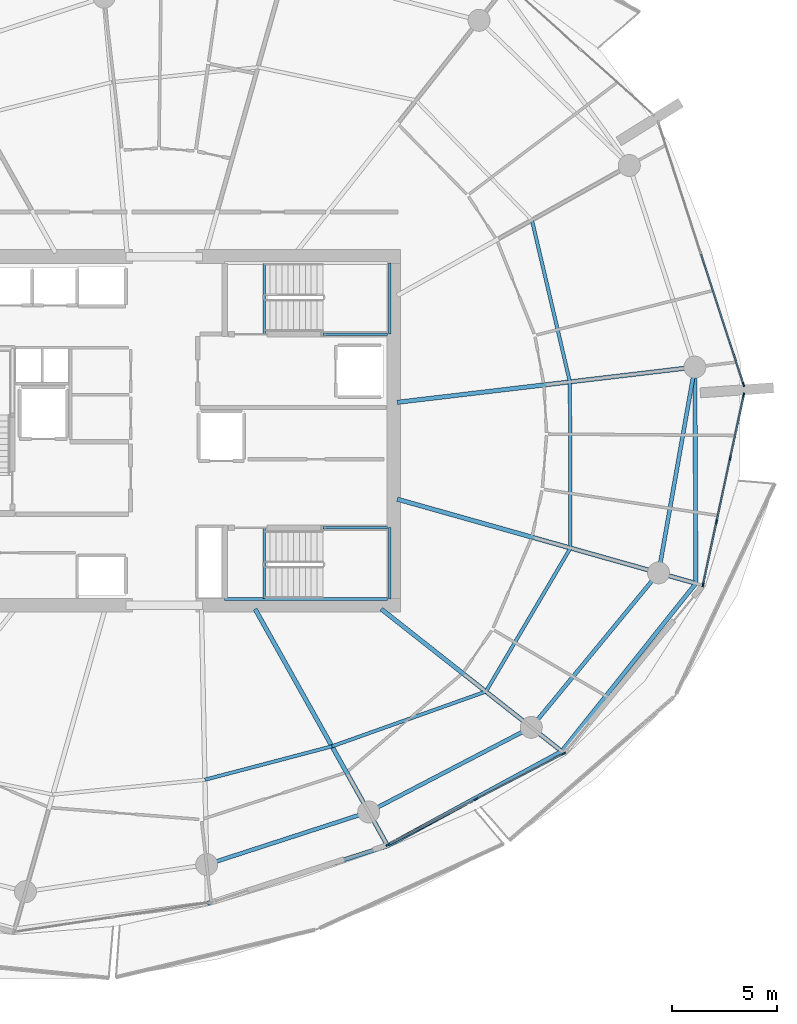
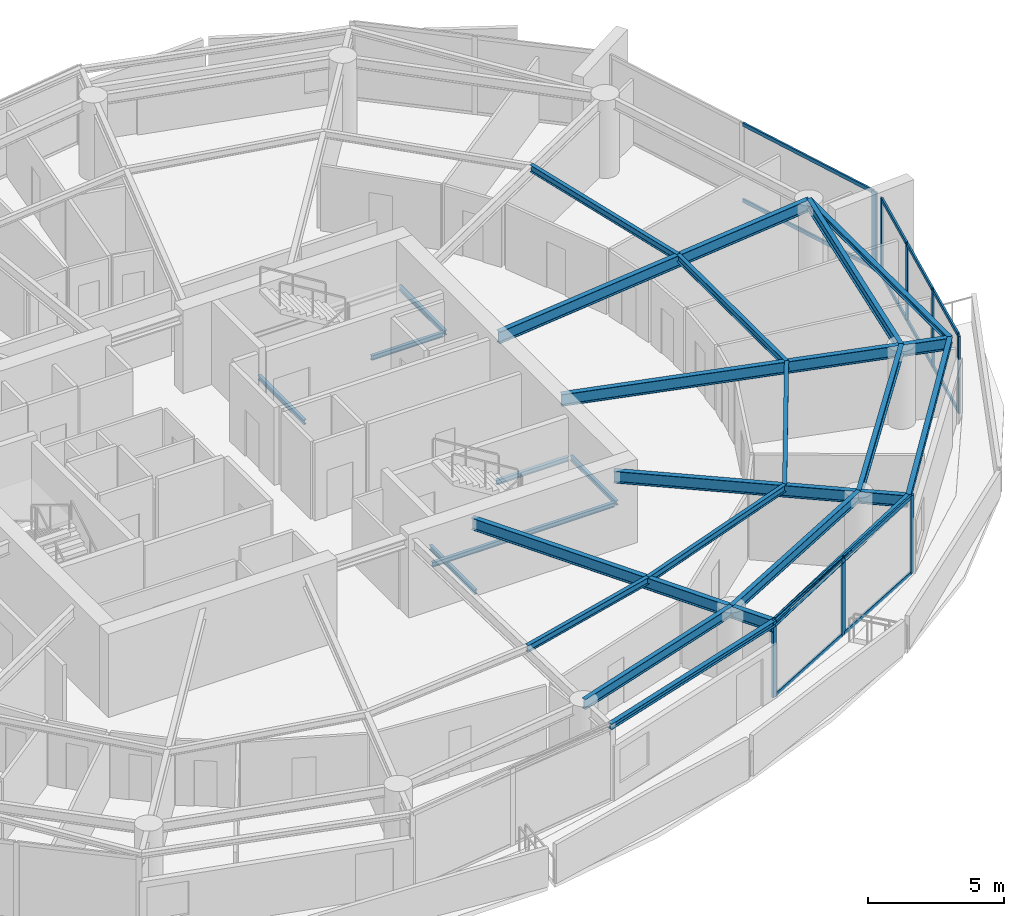
# One storey, part 6 of 19: 24 beams, 20 members, 3 elements without a shape of their own.
"""IFC4 building model written with IfcOpenShell, lengths in metres."""

from ifc_helpers import new_model, si_unit, direction, frame, origin, origin_2d, place, context, subcontext, project, spatial, rectangle, i_section, extrude, material, layer, layer_set, material_profile, profile_set, type_object, element, aggregate, save


model = new_model("IFC4")

# Units and contexts
model_context = context("Model", 3, precision=1e-05, world=origin(), true_north=direction((0.0, 1.0)))
body_context = subcontext(model_context, "Body", "Model", "MODEL_VIEW")
ifc_project = project(units=[si_unit("LENGTHUNIT", "METRE"), si_unit("AREAUNIT", "SQUARE_METRE"), si_unit("VOLUMEUNIT", "CUBIC_METRE"), si_unit("PLANEANGLEUNIT", "RADIAN"), si_unit("MASSUNIT", "GRAM", prefix="KILO")], contexts=[model_context])

# Site, building, storey
site_placement = place(None, origin())
site = spatial("IfcSite", under=ifc_project, at=site_placement, CompositionType="ELEMENT")
building_placement = place(site_placement, origin())
building = spatial("IfcBuilding", under=site, at=building_placement, Name="Kazma Halo Residences", CompositionType="ELEMENT")
storey_placement = place(building_placement, frame((0.0, 0.0, 199.050048828125)))
storey = spatial("IfcBuildingStorey", under=building, at=storey_placement, Name="L50", CompositionType="ELEMENT", Elevation=199.050048828125)

# Beams
ifc_material_1 = material(Name="Steel S355", Category="steel")
ifc_material_profile_1 = material_profile(ifc_material_1, i_section(OverallWidth=0.201904296875, OverallDepth=0.2470703125, WebThickness=0.00732421875, FlangeThickness=0.010986328125, FilletRadius=0.011962890625, at=origin_2d()), Name="W250x49.1")
ifc_profile_set_1 = profile_set([ifc_material_profile_1], Name="Steel S355")
beam_type_1 = type_object("IfcBeamType", Name="BM-BAL-CANT", PredefinedType="BEAM", material=ifc_profile_set_1)
beam_1_placement = place(storey_placement, frame((50.48779296875, 19.45068359375, 3.37646484375), z_axis=(0.952538666424, 0.30441762263, 0.0), x_axis=(-0.30441762263, 0.952538666424, 0.0)))
element("IfcBeam", 1, at=beam_1_placement, inside=storey, type_object=beam_type_1, Name="L50 wave-balcony tie beam 12", PredefinedType="BEAM", context=body_context, shape_type="SweptSolid", body=[
    extrude(i_section(OverallWidth=0.201904296875, OverallDepth=0.2470703125, WebThickness=0.00732421875, FlangeThickness=0.010986328125, FilletRadius=0.011962890625, at=origin_2d()), origin(), (0.0, 0.0, 1.0), 9.029541015625),
])
beam_2_placement = place(storey_placement, frame((59.0888671875, 22.199462890625, 3.37646484375), z_axis=(0.878890557257, 0.477023467309, 0.0), x_axis=(-0.477023467309, 0.878890557257, 0.0)))
element("IfcBeam", 2, at=beam_2_placement, inside=storey, type_object=beam_type_1, Name="L50 wave-balcony tie beam 13", PredefinedType="BEAM", context=body_context, shape_type="SweptSolid", body=[
    extrude(i_section(OverallWidth=0.201904296875, OverallDepth=0.2470703125, WebThickness=0.00732421875, FlangeThickness=0.010986328125, FilletRadius=0.011962890625, at=origin_2d()), origin(), (0.0, 0.0, 1.0), 9.452880859375),
])
beam_3_placement = place(storey_placement, frame((67.39697265625, 26.708740234375, 3.37646484375), z_axis=(0.624195724924, 0.781268005864, 0.0), x_axis=(-0.781268005864, 0.624195724924, 0.0)))
element("IfcBeam", 3, at=beam_3_placement, inside=storey, type_object=beam_type_1, Name="L50 wave-balcony tie beam 14", PredefinedType="BEAM", context=body_context, shape_type="SweptSolid", body=[
    extrude(i_section(OverallWidth=0.201904296875, OverallDepth=0.2470703125, WebThickness=0.00732421875, FlangeThickness=0.010986328125, FilletRadius=0.011962890625, at=origin_2d()), origin(), (0.0, 0.0, 1.0), 10.258544921875),
])
beam_4_placement = place(storey_placement, frame((73.80029296875, 34.723388671875, 3.37646484375), z_axis=(-0.004705663334, 0.999988928305, 0.0), x_axis=(-0.999988928305, -0.004705663334, 0.0)))
element("IfcBeam", 4, at=beam_4_placement, inside=storey, type_object=beam_type_1, Name="L50 wave-balcony tie beam 15", PredefinedType="BEAM", context=body_context, shape_type="SweptSolid", body=[
    extrude(i_section(OverallWidth=0.201904296875, OverallDepth=0.2470703125, WebThickness=0.00732421875, FlangeThickness=0.010986328125, FilletRadius=0.011962890625, at=origin_2d()), origin(), (0.0, 0.0, 1.0), 10.324462890625),
])
ifc_material_profile_2 = material_profile(ifc_material_1, i_section(OverallWidth=0.208984375, OverallDepth=0.532958984375, WebThickness=0.01025390625, FlangeThickness=0.015625, FilletRadius=0.01611328125, at=origin_2d()), Name="W530x92")
ifc_profile_set_2 = profile_set([ifc_material_profile_2], Name="Steel S355")
beam_type_2 = type_object("IfcBeamType", Name="BM-RAD-W530", PredefinedType="BEAM", material=ifc_profile_set_2)
beam_5_placement = place(storey_placement, frame((52.76025390625, 33.5, 3.2333984375), z_axis=(0.488621736368, -0.872495729931, 0.0), x_axis=(0.872495729931, 0.488621736368, 0.0)))
element("IfcBeam", 5, at=beam_5_placement, inside=storey, type_object=beam_type_2, Name="L50 radial floor beam 13", PredefinedType="BEAM", context=body_context, shape_type="SweptSolid", body=[
    extrude(i_section(OverallWidth=0.208984375, OverallDepth=0.532958984375, WebThickness=0.01025390625, FlangeThickness=0.015625, FilletRadius=0.01611328125, at=origin_2d()), origin(), (0.0, 0.0, 1.0), 12.951904296875),
])
beam_6_placement = place(storey_placement, frame((58.7822265625, 33.5, 3.2333984375), z_axis=(0.785319521624, -0.619090662954, 0.0), x_axis=(0.619090662954, 0.785319521624, 0.0)))
element("IfcBeam", 6, at=beam_6_placement, inside=storey, type_object=beam_type_2, Name="L50 radial floor beam 14", PredefinedType="BEAM", context=body_context, shape_type="SweptSolid", body=[
    extrude(i_section(OverallWidth=0.208984375, OverallDepth=0.532958984375, WebThickness=0.01025390625, FlangeThickness=0.015625, FilletRadius=0.01611328125, at=origin_2d()), origin(), (0.0, 0.0, 1.0), 10.9697265625),
])
beam_7_placement = place(storey_placement, frame((59.550048828125, 38.74267578125, 3.2333984375), z_axis=(0.962449896911, -0.271459381741, 0.0), x_axis=(0.271459381741, 0.962449896911, 0.0)))
element("IfcBeam", 7, at=beam_7_placement, inside=storey, type_object=beam_type_2, Name="L50 radial floor beam 15", PredefinedType="BEAM", context=body_context, shape_type="SweptSolid", body=[
    extrude(i_section(OverallWidth=0.208984375, OverallDepth=0.532958984375, WebThickness=0.01025390625, FlangeThickness=0.015625, FilletRadius=0.01611328125, at=origin_2d()), origin(), (0.0, 0.0, 1.0), 14.80615234375),
])
beam_8_placement = place(storey_placement, frame((59.550048828125, 43.366943359375, 3.2333984375), z_axis=(0.993068204292, 0.117539532174, 0.0), x_axis=(-0.117539532174, 0.993068204292, 0.0)))
element("IfcBeam", 8, at=beam_8_placement, inside=storey, type_object=beam_type_2, Name="L50 radial floor beam 16", PredefinedType="BEAM", context=body_context, shape_type="SweptSolid", body=[
    extrude(i_section(OverallWidth=0.208984375, OverallDepth=0.532958984375, WebThickness=0.01025390625, FlangeThickness=0.015625, FilletRadius=0.01611328125, at=origin_2d()), origin(), (0.0, 0.0, 1.0), 14.30078125),
])
ifc_material_profile_3 = material_profile(ifc_material_1, i_section(OverallWidth=0.1650390625, OverallDepth=0.31005859375, WebThickness=0.005859375, FlangeThickness=0.009765625, FilletRadius=0.011962890625, at=origin_2d()), Name="W310x38.7")
ifc_profile_set_3 = profile_set([ifc_material_profile_3], Name="Steel S355")
beam_type_3 = type_object("IfcBeamType", Name="BM-SEC-W310B", PredefinedType="JOIST", material=ifc_profile_set_3)
beam_9_placement = place(storey_placement, frame((50.366943359375, 25.3515625, 3.344970703125), z_axis=(0.967135034863, 0.254263297273, 0.0), x_axis=(-0.254263297273, 0.967135034863, 0.0)))
element("IfcBeam", 9, at=beam_9_placement, inside=storey, type_object=beam_type_3, Name="L50 circumferential floor joist 12", PredefinedType="JOIST", context=body_context, shape_type="SweptSolid", body=[
    extrude(i_section(OverallWidth=0.1650390625, OverallDepth=0.31005859375, WebThickness=0.005859375, FlangeThickness=0.009765625, FilletRadius=0.011962890625, at=origin_2d()), origin(), (0.0, 0.0, 1.0), 6.27001953125),
])
beam_10_placement = place(storey_placement, frame((56.430908203125, 26.94580078125, 3.344970703125), z_axis=(0.942107492186, 0.335311009612, 0.0), x_axis=(-0.335311009612, 0.942107492186, 0.0)))
element("IfcBeam", 10, at=beam_10_placement, inside=storey, type_object=beam_type_3, Name="L50 circumferential floor joist 13", PredefinedType="JOIST", context=body_context, shape_type="SweptSolid", body=[
    extrude(i_section(OverallWidth=0.1650390625, OverallDepth=0.31005859375, WebThickness=0.005859375, FlangeThickness=0.009765625, FilletRadius=0.011962890625, at=origin_2d()), origin(), (0.0, 0.0, 1.0), 7.79931640625),
])
beam_11_placement = place(storey_placement, frame((63.77880859375, 29.56103515625, 3.344970703125), z_axis=(0.507638586433, 0.861570116453, 0.0), x_axis=(-0.861570116453, 0.507638586433, 0.0)))
element("IfcBeam", 11, at=beam_11_placement, inside=storey, type_object=beam_type_3, Name="L50 circumferential floor joist 14", PredefinedType="JOIST", context=body_context, shape_type="SweptSolid", body=[
    extrude(i_section(OverallWidth=0.1650390625, OverallDepth=0.31005859375, WebThickness=0.005859375, FlangeThickness=0.009765625, FilletRadius=0.011962890625, at=origin_2d()), origin(), (0.0, 0.0, 1.0), 7.951171875),
])
beam_12_placement = place(storey_placement, frame((67.815185546875, 36.41162109375, 3.344970703125), z_axis=(-0.003540400199, 0.999993732764, 0.0), x_axis=(-0.999993732764, -0.003540400199, 0.0)))
element("IfcBeam", 12, at=beam_12_placement, inside=storey, type_object=beam_type_3, Name="L50 circumferential floor joist 15", PredefinedType="JOIST", context=body_context, shape_type="SweptSolid", body=[
    extrude(i_section(OverallWidth=0.1650390625, OverallDepth=0.31005859375, WebThickness=0.005859375, FlangeThickness=0.009765625, FilletRadius=0.011962890625, at=origin_2d()), origin(), (0.0, 0.0, 1.0), 7.93017578125),
])
beam_13_placement = place(storey_placement, frame((67.787109375, 44.341796875, 3.344970703125), z_axis=(-0.228572787048, 0.973526826041, 0.0), x_axis=(-0.973526826041, -0.228572787048, 0.0)))
element("IfcBeam", 13, at=beam_13_placement, inside=storey, type_object=beam_type_3, Name="L50 circumferential floor joist 16", PredefinedType="JOIST", context=body_context, shape_type="SweptSolid", body=[
    extrude(i_section(OverallWidth=0.1650390625, OverallDepth=0.31005859375, WebThickness=0.005859375, FlangeThickness=0.009765625, FilletRadius=0.011962890625, at=origin_2d()), origin(), (0.0, 0.0, 1.0), 7.933837890625),
])
ifc_material_profile_4 = material_profile(ifc_material_1, i_section(OverallWidth=0.18994140625, OverallDepth=0.45703125, WebThickness=0.009033203125, FlangeThickness=0.014404296875, FilletRadius=0.01611328125, at=origin_2d()), Name="W460x74")
ifc_profile_set_4 = profile_set([ifc_material_profile_4], Name="Steel S355")
beam_type_4 = type_object("IfcBeamType", Name="BM-SPN-W460", PredefinedType="BEAM", material=ifc_profile_set_4)
beam_14_placement = place(storey_placement, frame((50.449951171875, 21.30029296875, 3.271484375), z_axis=(0.951048627281, 0.30904127321, 0.0), x_axis=(-0.30904127321, 0.951048627281, 0.0)))
element("IfcBeam", 14, at=beam_14_placement, inside=storey, type_object=beam_type_4, Name="L50 perimeter ring beam 12", PredefinedType="BEAM", context=body_context, shape_type="SweptSolid", body=[
    extrude(i_section(OverallWidth=0.18994140625, OverallDepth=0.45703125, WebThickness=0.009033203125, FlangeThickness=0.014404296875, FilletRadius=0.01611328125, at=origin_2d()), origin(), (0.0, 0.0, 1.0), 8.133056640625),
])
beam_15_placement = place(storey_placement, frame((58.184814453125, 23.813720703125, 3.271484375), z_axis=(0.886961243394, 0.461843861838, 0.0), x_axis=(-0.461843861838, 0.886961243394, 0.0)))
element("IfcBeam", 15, at=beam_15_placement, inside=storey, type_object=beam_type_4, Name="L50 perimeter ring beam 13", PredefinedType="BEAM", context=body_context, shape_type="SweptSolid", body=[
    extrude(i_section(OverallWidth=0.18994140625, OverallDepth=0.45703125, WebThickness=0.009033203125, FlangeThickness=0.014404296875, FilletRadius=0.01611328125, at=origin_2d()), origin(), (0.0, 0.0, 1.0), 8.748046875),
])
beam_16_placement = place(storey_placement, frame((65.944091796875, 27.85400390625, 3.271484375), z_axis=(0.63601715545, 0.771674917289, 0.0), x_axis=(-0.771674917289, 0.63601715545, 0.0)))
element("IfcBeam", 16, at=beam_16_placement, inside=storey, type_object=beam_type_4, Name="L50 perimeter ring beam 14", PredefinedType="BEAM", context=body_context, shape_type="SweptSolid", body=[
    extrude(i_section(OverallWidth=0.18994140625, OverallDepth=0.45703125, WebThickness=0.009033203125, FlangeThickness=0.014404296875, FilletRadius=0.01611328125, at=origin_2d()), origin(), (0.0, 0.0, 1.0), 9.552734375),
])
beam_17_placement = place(storey_placement, frame((72.019775390625, 35.2255859375, 3.271484375), z_axis=(0.173648484202, 0.984807698962, 0.0), x_axis=(-0.984807698962, 0.173648484202, 0.0)))
element("IfcBeam", 17, at=beam_17_placement, inside=storey, type_object=beam_type_4, Name="L50 perimeter ring beam 15", PredefinedType="BEAM", context=body_context, shape_type="SweptSolid", body=[
    extrude(i_section(OverallWidth=0.18994140625, OverallDepth=0.45703125, WebThickness=0.009033203125, FlangeThickness=0.014404296875, FilletRadius=0.01611328125, at=origin_2d()), origin(), (0.0, 0.0, 1.0), 9.973876953125),
])
ifc_material_profile_5 = material_profile(ifc_material_1, i_section(OverallWidth=0.133056640625, OverallDepth=0.20703125, WebThickness=0.005859375, FlangeThickness=0.00830078125, FilletRadius=0.010009765625, at=origin_2d()), Name="W200x26.6")
ifc_profile_set_5 = profile_set([ifc_material_profile_5], Name="Steel S355")
beam_type_5 = type_object("IfcBeamType", Name="BM-TRIM-W200", PredefinedType="BEAM", material=ifc_profile_set_5)
for number, where, z_axis, x_axis, name in (
    (18, (53.199951171875, 46.6201171875, -0.360107421875), (0.0, 1.0, 0.0), (-1.0, 0.0, 0.0), "L50 ST-02 floor landing support beam"),
    (19, (53.199951171875, 34.0, -0.360107421875), (0.0, 1.0, 0.0), (-1.0, 0.0, 0.0), "L50 ST-03 floor landing support beam"),
):
    element("IfcBeam", number, at=place(storey_placement, frame(where, z_axis=z_axis, x_axis=x_axis)), inside=storey, type_object=beam_type_5, Name=name, PredefinedType="BEAM", context=body_context, shape_type="SweptSolid", body=[
        extrude(i_section(OverallWidth=0.133056640625, OverallDepth=0.20703125, WebThickness=0.005859375, FlangeThickness=0.00830078125, FilletRadius=0.010009765625, at=origin_2d()), origin(), (0.0, 0.0, 1.0), 3.3798828125),
    ])
beam_18_placement = place(storey_placement, frame((56.0, 46.6201171875, 1.570068359375), z_axis=(1.0, 0.0, 0.0), x_axis=(0.0, 1.0, 0.0)))
element("IfcBeam", 20, at=beam_18_placement, inside=storey, type_object=beam_type_5, Name="L50 ST-02 landing south wall ledger", PredefinedType="BEAM", context=body_context, shape_type="SweptSolid", body=[
    extrude(i_section(OverallWidth=0.133056640625, OverallDepth=0.20703125, WebThickness=0.005859375, FlangeThickness=0.00830078125, FilletRadius=0.010009765625, at=origin_2d()), origin(), (0.0, 0.0, 1.0), 3.070068359375),
])
beam_19_placement = place(storey_placement, frame((59.18994140625, 46.6201171875, 1.570068359375), z_axis=(0.0, 1.0, 0.0), x_axis=(-1.0, 0.0, 0.0)))
element("IfcBeam", 21, at=beam_19_placement, inside=storey, type_object=beam_type_5, Name="L50 ST-02 landing end wall ledger", PredefinedType="BEAM", context=body_context, shape_type="SweptSolid", body=[
    extrude(i_section(OverallWidth=0.133056640625, OverallDepth=0.20703125, WebThickness=0.005859375, FlangeThickness=0.00830078125, FilletRadius=0.010009765625, at=origin_2d()), origin(), (0.0, 0.0, 1.0), 3.39990234375),
])
beam_20_placement = place(storey_placement, frame((51.31005859375, 33.97998046875, 1.570068359375), z_axis=(1.0, 0.0, 0.0), x_axis=(0.0, 1.0, 0.0)))
element("IfcBeam", 22, at=beam_20_placement, inside=storey, type_object=beam_type_5, Name="L50 ST-03 landing south wall ledger", PredefinedType="BEAM", context=body_context, shape_type="SweptSolid", body=[
    extrude(i_section(OverallWidth=0.133056640625, OverallDepth=0.20703125, WebThickness=0.005859375, FlangeThickness=0.00830078125, FilletRadius=0.010009765625, at=origin_2d()), origin(), (0.0, 0.0, 1.0), 7.760009765625),
])
beam_21_placement = place(storey_placement, frame((56.0, 37.3798828125, 1.570068359375), z_axis=(1.0, 0.0, 0.0), x_axis=(0.0, 1.0, 0.0)))
element("IfcBeam", 23, at=beam_21_placement, inside=storey, type_object=beam_type_5, Name="L50 ST-03 landing north wall ledger", PredefinedType="BEAM", context=body_context, shape_type="SweptSolid", body=[
    extrude(i_section(OverallWidth=0.133056640625, OverallDepth=0.20703125, WebThickness=0.005859375, FlangeThickness=0.00830078125, FilletRadius=0.010009765625, at=origin_2d()), origin(), (0.0, 0.0, 1.0), 3.070068359375),
])
beam_22_placement = place(storey_placement, frame((59.18994140625, 33.97998046875, 1.570068359375), z_axis=(0.0, 1.0, 0.0), x_axis=(-1.0, 0.0, 0.0)))
element("IfcBeam", 24, at=beam_22_placement, inside=storey, type_object=beam_type_5, Name="L50 ST-03 landing end wall ledger", PredefinedType="BEAM", context=body_context, shape_type="SweptSolid", body=[
    extrude(i_section(OverallWidth=0.133056640625, OverallDepth=0.20703125, WebThickness=0.005859375, FlangeThickness=0.00830078125, FilletRadius=0.010009765625, at=origin_2d()), origin(), (0.0, 0.0, 1.0), 3.39990234375),
])

# Curtain wall, members
ifc_material_2 = material(Name="Aluminium AW-6063 T6 and Triple-Silver Low-E Glass", Category="aluminium")
ifc_layer = layer(ifc_material_2, 0.219970703125)
ifc_layer_set = layer_set([ifc_layer], Name="Aluminium AW-6063 T6 and Triple-Silver Low-E Glass")
curtain_wall_type = type_object("IfcCurtainWallType", Name="CW-SYS-4", PredefinedType="NOTDEFINED", material=ifc_layer_set)
curtain_wall_1_placement = place(storey_placement, origin())
curtain_wall_1 = element("IfcCurtainWall", 25, at=curtain_wall_1_placement, inside=storey, type_object=curtain_wall_type, Name="L50 unitised curtain wall B13", PredefinedType="NOTDEFINED")
ifc_material_3 = material(Name="Aluminium AW-6063 T6", Category="aluminium")
ifc_material_profile_6 = material_profile(ifc_material_3, rectangle(XDim=0.074951171875, YDim=0.219970703125, at=origin_2d()), Name="CWM-75x220")
ifc_profile_set_6 = profile_set([ifc_material_profile_6], Name="Aluminium AW-6063 T6")
member_type_1 = type_object("IfcMemberType", Name="CW-SYS-4-MUL", PredefinedType="MULLION", material=ifc_profile_set_6)
member_1_placement = place(storey_placement, frame((59.105712890625, 22.24609375, 0.0), z_axis=(0.0, 0.0, 1.0), x_axis=(-0.460873851097, 0.887465657575, 0.0)))
member_1 = element("IfcMember", 26, at=member_1_placement, type_object=member_type_1, Name="CWS-4 mullion 1", PredefinedType="MULLION", context=body_context, shape_type="SweptSolid", body=[
    extrude(rectangle(XDim=0.074951171875, YDim=0.219970703125, at=origin_2d()), origin(), (0.0, 0.0, 1.0), 3.5),
])
member_2_placement = place(storey_placement, frame((63.294677734375, 24.421630859375, 0.0), z_axis=(0.0, 0.0, 1.0), x_axis=(-0.460873851097, 0.887465657575, 0.0)))
member_2 = element("IfcMember", 27, at=member_2_placement, type_object=member_type_1, Name="CWS-4 mullion 2", PredefinedType="MULLION", context=body_context, shape_type="SweptSolid", body=[
    extrude(rectangle(XDim=0.074951171875, YDim=0.219970703125, at=origin_2d()), origin(), (0.0, 0.0, 1.0), 3.5),
])
member_3_placement = place(storey_placement, frame((67.4833984375, 26.596923828125, 0.0), z_axis=(0.0, 0.0, 1.0), x_axis=(-0.460873851097, 0.887465657575, 0.0)))
member_3 = element("IfcMember", 28, at=member_3_placement, type_object=member_type_1, Name="CWS-4 mullion 3", PredefinedType="MULLION", context=body_context, shape_type="SweptSolid", body=[
    extrude(rectangle(XDim=0.074951171875, YDim=0.219970703125, at=origin_2d()), origin(), (0.0, 0.0, 1.0), 3.5),
])

curtain_wall_2_placement = place(storey_placement, origin())
curtain_wall_2 = element("IfcCurtainWall", 29, at=curtain_wall_2_placement, inside=storey, type_object=curtain_wall_type, Name="L50 unitised curtain wall B15", PredefinedType="NOTDEFINED")
member_4_placement = place(storey_placement, frame((74.1435546875, 34.665771484375, 0.0), z_axis=(0.0, 0.0, 1.0), x_axis=(-0.977768017212, 0.209689543175, 0.0)))
member_4 = element("IfcMember", 30, at=member_4_placement, type_object=member_type_1, Name="CWS-4 mullion 1", PredefinedType="MULLION", context=body_context, shape_type="SweptSolid", body=[
    extrude(rectangle(XDim=0.074951171875, YDim=0.219970703125, at=origin_2d()), origin(), (0.0, 0.0, 1.0), 3.5),
])
member_5_placement = place(storey_placement, frame((74.787109375, 37.6669921875, 0.0), z_axis=(0.0, 0.0, 1.0), x_axis=(-0.977768017212, 0.209689543175, 0.0)))
member_5 = element("IfcMember", 31, at=member_5_placement, type_object=member_type_1, Name="CWS-4 mullion 2", PredefinedType="MULLION", context=body_context, shape_type="SweptSolid", body=[
    extrude(rectangle(XDim=0.074951171875, YDim=0.219970703125, at=origin_2d()), origin(), (0.0, 0.0, 1.0), 3.5),
])
member_6_placement = place(storey_placement, frame((75.438720703125, 40.704833984375, 0.0), z_axis=(0.0, 0.0, 1.0), x_axis=(-0.977768017212, 0.209689543175, 0.0)))
member_6 = element("IfcMember", 32, at=member_6_placement, type_object=member_type_1, Name="CWS-4 mullion 3", PredefinedType="MULLION", context=body_context, shape_type="SweptSolid", body=[
    extrude(rectangle(XDim=0.074951171875, YDim=0.219970703125, at=origin_2d()), origin(), (0.0, 0.0, 1.0), 3.5),
])
member_7_placement = place(storey_placement, frame((76.082275390625, 43.7060546875, 0.0), z_axis=(0.0, 0.0, 1.0), x_axis=(-0.977768017212, 0.209689543175, 0.0)))
member_7 = element("IfcMember", 33, at=member_7_placement, type_object=member_type_1, Name="CWS-4 mullion 4", PredefinedType="MULLION", context=body_context, shape_type="SweptSolid", body=[
    extrude(rectangle(XDim=0.074951171875, YDim=0.219970703125, at=origin_2d()), origin(), (0.0, 0.0, 1.0), 3.5),
])

# Curtain wall, member
curtain_wall_3_placement = place(storey_placement, origin())
curtain_wall_3 = element("IfcCurtainWall", 34, at=curtain_wall_3_placement, inside=storey, type_object=curtain_wall_type, Name="L50 unitised curtain wall B16", PredefinedType="NOTDEFINED")
member_8_placement = place(storey_placement, frame((76.0712890625, 44.22119140625, 0.0), z_axis=(0.0, 0.0, 1.0), x_axis=(-0.951056893636, -0.309015833038, 0.0)))
member_8 = element("IfcMember", 35, at=member_8_placement, type_object=member_type_1, Name="CWS-4 mullion 1", PredefinedType="MULLION", context=body_context, shape_type="SweptSolid", body=[
    extrude(rectangle(XDim=0.074951171875, YDim=0.219970703125, at=origin_2d()), origin(), (0.0, 0.0, 1.0), 3.5),
])

# Member
ifc_material_profile_7 = material_profile(ifc_material_3, rectangle(XDim=0.074951171875, YDim=0.1650390625, at=origin_2d()), Name="CWT-75x165")
ifc_profile_set_7 = profile_set([ifc_material_profile_7], Name="Aluminium AW-6063 T6")
member_type_2 = type_object("IfcMemberType", Name="CW-SYS-4-TRN", PredefinedType="USERDEFINED", material=ifc_profile_set_7)
member_9_placement = place(storey_placement, frame((59.138916015625, 22.263427734375, 0.037353515625), z_axis=(0.887457630519, 0.460889307789, 0.0), x_axis=(-0.460889307789, 0.887457630519, 0.0)))
member_9 = element("IfcMember", 36, at=member_9_placement, type_object=member_type_2, Name="CWS-4 transom 1.1", ObjectType="TRANSOM", PredefinedType="USERDEFINED", context=body_context, shape_type="SweptSolid", body=[
    extrude(rectangle(XDim=0.074951171875, YDim=0.1650390625, at=origin_2d()), origin(), (0.0, 0.0, 1.0), 4.64501953125),
])

member_10_placement = place(storey_placement, frame((59.138916015625, 22.263427734375, 3.46240234375), z_axis=(0.887457630519, 0.460889307789, 0.0), x_axis=(-0.460889307789, 0.887457630519, 0.0)))
member_10 = element("IfcMember", 37, at=member_10_placement, type_object=member_type_2, Name="CWS-4 transom 1.2", ObjectType="TRANSOM", PredefinedType="USERDEFINED", context=body_context, shape_type="SweptSolid", body=[
    extrude(rectangle(XDim=0.074951171875, YDim=0.1650390625, at=origin_2d()), origin(), (0.0, 0.0, 1.0), 4.64501953125),
])

member_11_placement = place(storey_placement, frame((63.327880859375, 24.438720703125, 0.037353515625), z_axis=(0.887457630519, 0.460889307789, 0.0), x_axis=(-0.460889307789, 0.887457630519, 0.0)))
member_11 = element("IfcMember", 38, at=member_11_placement, type_object=member_type_2, Name="CWS-4 transom 2.1", ObjectType="TRANSOM", PredefinedType="USERDEFINED", context=body_context, shape_type="SweptSolid", body=[
    extrude(rectangle(XDim=0.074951171875, YDim=0.1650390625, at=origin_2d()), origin(), (0.0, 0.0, 1.0), 4.64501953125),
])

member_12_placement = place(storey_placement, frame((63.327880859375, 24.438720703125, 3.46240234375), z_axis=(0.887457630519, 0.460889307789, 0.0), x_axis=(-0.460889307789, 0.887457630519, 0.0)))
member_12 = element("IfcMember", 39, at=member_12_placement, type_object=member_type_2, Name="CWS-4 transom 2.2", ObjectType="TRANSOM", PredefinedType="USERDEFINED", context=body_context, shape_type="SweptSolid", body=[
    extrude(rectangle(XDim=0.074951171875, YDim=0.1650390625, at=origin_2d()), origin(), (0.0, 0.0, 1.0), 4.64501953125),
])

aggregate(curtain_wall_1, [member_1, member_2, member_3, member_9, member_10, member_11, member_12])

member_13_placement = place(storey_placement, frame((74.1513671875, 34.702392578125, 0.037353515625), z_axis=(0.209707268418, 0.977764215735, 0.0), x_axis=(-0.977764215735, 0.209707268418, 0.0)))
member_13 = element("IfcMember", 40, at=member_13_placement, type_object=member_type_2, Name="CWS-4 transom 1.1", ObjectType="TRANSOM", PredefinedType="USERDEFINED", context=body_context, shape_type="SweptSolid", body=[
    extrude(rectangle(XDim=0.074951171875, YDim=0.1650390625, at=origin_2d()), origin(), (0.0, 0.0, 1.0), 2.994384765625),
])

member_14_placement = place(storey_placement, frame((74.1513671875, 34.702392578125, 3.46240234375), z_axis=(0.209707268418, 0.977764215735, 0.0), x_axis=(-0.977764215735, 0.209707268418, 0.0)))
member_14 = element("IfcMember", 41, at=member_14_placement, type_object=member_type_2, Name="CWS-4 transom 1.2", ObjectType="TRANSOM", PredefinedType="USERDEFINED", context=body_context, shape_type="SweptSolid", body=[
    extrude(rectangle(XDim=0.074951171875, YDim=0.1650390625, at=origin_2d()), origin(), (0.0, 0.0, 1.0), 2.994384765625),
])

member_15_placement = place(storey_placement, frame((74.794921875, 37.70361328125, 0.037353515625), z_axis=(0.209677559804, 0.977770587057, 0.0), x_axis=(-0.977770587057, 0.209677559804, 0.0)))
member_15 = element("IfcMember", 42, at=member_15_placement, type_object=member_type_2, Name="CWS-4 transom 2.1", ObjectType="TRANSOM", PredefinedType="USERDEFINED", context=body_context, shape_type="SweptSolid", body=[
    extrude(rectangle(XDim=0.074951171875, YDim=0.1650390625, at=origin_2d()), origin(), (0.0, 0.0, 1.0), 3.031982421875),
])

member_16_placement = place(storey_placement, frame((74.794921875, 37.70361328125, 3.46240234375), z_axis=(0.209677559804, 0.977770587057, 0.0), x_axis=(-0.977770587057, 0.209677559804, 0.0)))
member_16 = element("IfcMember", 43, at=member_16_placement, type_object=member_type_2, Name="CWS-4 transom 2.2", ObjectType="TRANSOM", PredefinedType="USERDEFINED", context=body_context, shape_type="SweptSolid", body=[
    extrude(rectangle(XDim=0.074951171875, YDim=0.1650390625, at=origin_2d()), origin(), (0.0, 0.0, 1.0), 3.031982421875),
])

member_17_placement = place(storey_placement, frame((75.446533203125, 40.741455078125, 0.037353515625), z_axis=(0.209690551496, 0.97776780097, 0.0), x_axis=(-0.97776780097, 0.209690551496, 0.0)))
member_17 = element("IfcMember", 44, at=member_17_placement, type_object=member_type_2, Name="CWS-4 transom 3.1", ObjectType="TRANSOM", PredefinedType="USERDEFINED", context=body_context, shape_type="SweptSolid", body=[
    extrude(rectangle(XDim=0.074951171875, YDim=0.1650390625, at=origin_2d()), origin(), (0.0, 0.0, 1.0), 2.99462890625),
])

member_18_placement = place(storey_placement, frame((75.446533203125, 40.741455078125, 3.46240234375), z_axis=(0.209690551496, 0.97776780097, 0.0), x_axis=(-0.97776780097, 0.209690551496, 0.0)))
member_18 = element("IfcMember", 45, at=member_18_placement, type_object=member_type_2, Name="CWS-4 transom 3.2", ObjectType="TRANSOM", PredefinedType="USERDEFINED", context=body_context, shape_type="SweptSolid", body=[
    extrude(rectangle(XDim=0.074951171875, YDim=0.1650390625, at=origin_2d()), origin(), (0.0, 0.0, 1.0), 2.99462890625),
])

aggregate(curtain_wall_2, [member_4, member_5, member_6, member_7, member_13, member_14, member_15, member_16, member_17, member_18])

member_19_placement = place(storey_placement, frame((76.0595703125, 44.2568359375, 0.037353515625), z_axis=(-0.30902650142, 0.951053427217, 0.0), x_axis=(-0.951053427217, -0.30902650142, 0.0)))
member_19 = element("IfcMember", 46, at=member_19_placement, type_object=member_type_2, Name="CWS-4 transom 1.1", ObjectType="TRANSOM", PredefinedType="USERDEFINED", context=body_context, shape_type="SweptSolid", body=[
    extrude(rectangle(XDim=0.074951171875, YDim=0.1650390625, at=origin_2d()), origin(), (0.0, 0.0, 1.0), 6.487060546875),
])

member_20_placement = place(storey_placement, frame((76.0595703125, 44.2568359375, 3.46240234375), z_axis=(-0.30902650142, 0.951053427217, 0.0), x_axis=(-0.951053427217, -0.30902650142, 0.0)))
member_20 = element("IfcMember", 47, at=member_20_placement, type_object=member_type_2, Name="CWS-4 transom 1.2", ObjectType="TRANSOM", PredefinedType="USERDEFINED", context=body_context, shape_type="SweptSolid", body=[
    extrude(rectangle(XDim=0.074951171875, YDim=0.1650390625, at=origin_2d()), origin(), (0.0, 0.0, 1.0), 6.487060546875),
])

aggregate(curtain_wall_3, [member_8, member_19, member_20])

save(model, "model.ifc")
